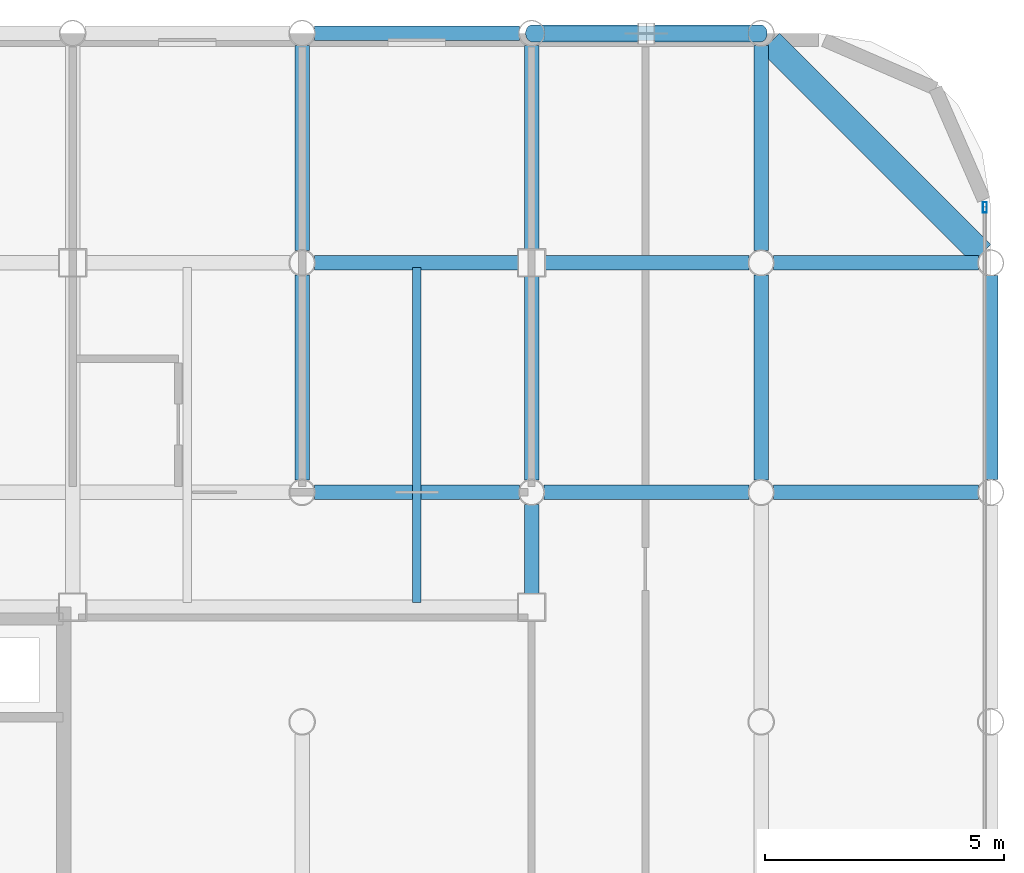
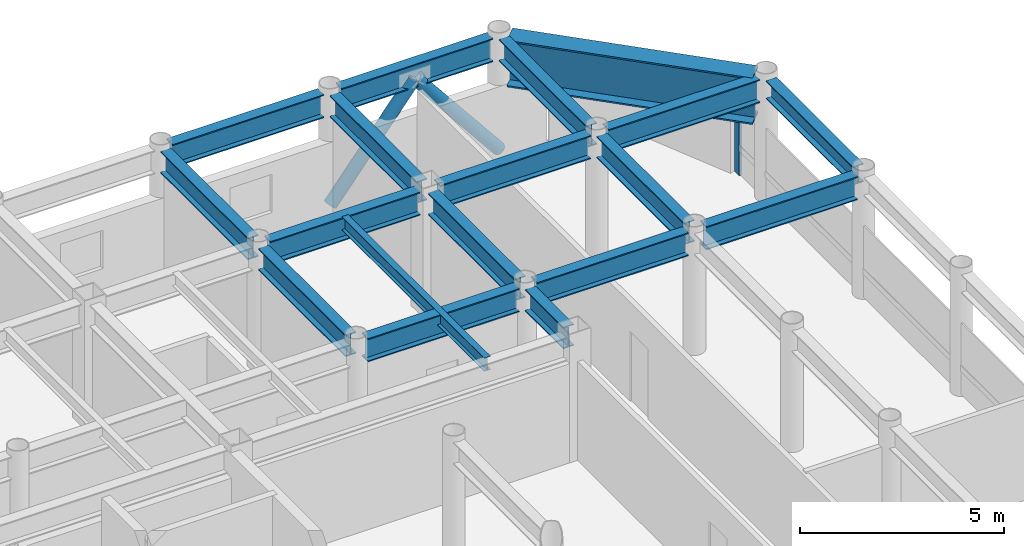
# One storey, part 15 of 21: 18 beams, 3 members, 1 element without a shape of its own.
"""IFC4 building model written with IfcOpenShell, lengths in metres."""

from ifc_helpers import new_model, si_unit, direction, frame, origin, origin_2d, place, context, subcontext, project, spatial, hollow_rectangle, hollow_circle, i_section, extrude, material, layer, layer_set, material_profile, profile_set, type_object, element, aggregate, save


model = new_model("IFC4")

# Units and contexts
model_context = context("Model", 3, precision=1e-05, world=origin(), true_north=direction((0.0, 1.0)))
body_context = subcontext(model_context, "Body", "Model", "MODEL_VIEW")
ifc_project = project(units=[si_unit("LENGTHUNIT", "METRE"), si_unit("AREAUNIT", "SQUARE_METRE"), si_unit("VOLUMEUNIT", "CUBIC_METRE"), si_unit("PLANEANGLEUNIT", "RADIAN"), si_unit("MASSUNIT", "GRAM", prefix="KILO")], contexts=[model_context])

# Site, building, storey
site_placement = place(None, origin())
site = spatial("IfcSite", under=ifc_project, at=site_placement, CompositionType="ELEMENT")
building_placement = place(site_placement, origin())
building = spatial("IfcBuilding", under=site, at=building_placement, Name="Kallvorn Hotel Tower", CompositionType="ELEMENT")
storey_placement = place(building_placement, frame((0.0, 0.0, 214.60009765625)))
storey = spatial("IfcBuildingStorey", under=building, at=storey_placement, Name="L53", CompositionType="ELEMENT", Elevation=214.60009765625)

# Beams
ifc_material_1 = material(Name="Structural steel S355JR", Category="steel")
ifc_material_profile_1 = material_profile(ifc_material_1, i_section(OverallWidth=0.300048828125, OverallDepth=0.550048828125, WebThickness=0.014892578125, FlangeThickness=0.029052734375, at=origin_2d()), Name="HE 550 B")
ifc_profile_set_1 = profile_set([ifc_material_profile_1], Name="Structural steel S355JR")
beam_type_1 = type_object("IfcBeamType", Name="BM_HE550B", PredefinedType="SPANDREL", material=ifc_profile_set_1)
beam_1_placement = place(storey_placement, frame((33.60009765625, 9.869384765625, 3.39501953125), z_axis=(0.0, 1.0, 0.0), x_axis=(-1.0, 0.0, 0.0)))
element("IfcBeam", 1, at=beam_1_placement, inside=storey, type_object=beam_type_1, Name="L54 Perimeter Spandrel 188", PredefinedType="SPANDREL", context=body_context, shape_type="SweptSolid", body=[
    extrude(i_section(OverallWidth=0.300048828125, OverallDepth=0.550048828125, WebThickness=0.014892578125, FlangeThickness=0.029052734375, at=origin_2d()), origin(), (0.0, 0.0, 1.0), 4.26123046875),
])
ifc_material_2 = material(Name="Structural steel S355JR", Category="steel")
ifc_material_profile_2 = material_profile(ifc_material_2, i_section(OverallWidth=0.300048828125, OverallDepth=0.64990234375, WebThickness=0.01611328125, FlangeThickness=0.031005859375, at=origin_2d()), Name="HE 650 B")
ifc_profile_set_2 = profile_set([ifc_material_profile_2], Name="Structural steel S355JR")
beam_type_2 = type_object("IfcBeamType", Name="BM_HE650B", PredefinedType="BEAM", material=ifc_profile_set_2)
for number, where, z_axis, x_axis, name in (
    (2, (19.199951171875, 9.8544921875, 3.344970703125), (0.0, 1.0, 0.0), (-1.0, 0.0, 0.0), "L54 Primary Y-Girder 133"),
    (3, (19.199951171875, 14.654541015625, 3.344970703125), (0.0, 1.0, 0.0), (-1.0, 0.0, 0.0), "L54 Primary Y-Girder 134"),
):
    element("IfcBeam", number, at=place(storey_placement, frame(where, z_axis=z_axis, x_axis=x_axis)), inside=storey, type_object=beam_type_2, Name=name, PredefinedType="BEAM", context=body_context, shape_type="SweptSolid", body=[
        extrude(i_section(OverallWidth=0.300048828125, OverallDepth=0.64990234375, WebThickness=0.01611328125, FlangeThickness=0.031005859375, at=origin_2d()), origin(), (0.0, 0.0, 1.0), 4.291015625),
    ])
beam_2_placement = place(storey_placement, frame((24.0, 7.47509765625, 3.344970703125), z_axis=(0.0, 1.0, 0.0), x_axis=(-1.0, 0.0, 0.0)))
element("IfcBeam", 4, at=beam_2_placement, inside=storey, type_object=beam_type_2, Name="L54 Primary Y-Girder 139", PredefinedType="BEAM", context=body_context, shape_type="SweptSolid", body=[
    extrude(i_section(OverallWidth=0.300048828125, OverallDepth=0.64990234375, WebThickness=0.01611328125, FlangeThickness=0.031005859375, at=origin_2d()), origin(), (0.0, 0.0, 1.0), 1.870361328125),
])
for number, where, z_axis, x_axis, name in (
    (5, (24.0, 9.8544921875, 3.344970703125), (0.0, 1.0, 0.0), (-1.0, 0.0, 0.0), "L54 Primary Y-Girder 140"),
    (6, (24.0, 14.675048828125, 3.344970703125), (0.0, 1.0, 0.0), (-1.0, 0.0, 0.0), "L54 Primary Y-Girder 141"),
):
    element("IfcBeam", number, at=place(storey_placement, frame(where, z_axis=z_axis, x_axis=x_axis)), inside=storey, type_object=beam_type_2, Name=name, PredefinedType="BEAM", context=body_context, shape_type="SweptSolid", body=[
        extrude(i_section(OverallWidth=0.300048828125, OverallDepth=0.64990234375, WebThickness=0.01611328125, FlangeThickness=0.031005859375, at=origin_2d()), origin(), (0.0, 0.0, 1.0), 4.2705078125),
    ])
for number, where, z_axis, x_axis, name in (
    (7, (28.800048828125, 9.8544921875, 3.344970703125), (0.0, 1.0, 0.0), (-1.0, 0.0, 0.0), "L54 Primary Y-Girder 149"),
    (8, (28.800048828125, 14.654541015625, 3.344970703125), (0.0, 1.0, 0.0), (-1.0, 0.0, 0.0), "L54 Primary Y-Girder 150"),
):
    element("IfcBeam", number, at=place(storey_placement, frame(where, z_axis=z_axis, x_axis=x_axis)), inside=storey, type_object=beam_type_2, Name=name, PredefinedType="BEAM", context=body_context, shape_type="SweptSolid", body=[
        extrude(i_section(OverallWidth=0.300048828125, OverallDepth=0.64990234375, WebThickness=0.01611328125, FlangeThickness=0.031005859375, at=origin_2d()), origin(), (0.0, 0.0, 1.0), 4.291015625),
    ])
ifc_material_3 = material(Name="Structural steel S355JR", Category="steel")
ifc_material_profile_3 = material_profile(ifc_material_3, i_section(OverallWidth=0.300048828125, OverallDepth=0.699951171875, WebThickness=0.01708984375, FlangeThickness=0.031982421875, at=origin_2d()), Name="HE 700 B")
ifc_profile_set_3 = profile_set([ifc_material_profile_3], Name="Structural steel S355JR")
beam_type_3 = type_object("IfcBeamType", Name="BM_HE700B", PredefinedType="BEAM", material=ifc_profile_set_3)
for number, where, z_axis, x_axis, name in (
    (9, (19.45458984375, 9.60009765625, 3.31982421875), (1.0, 0.0, 0.0), (0.0, 1.0, 0.0), "L54 Primary X-Girder 48"),
    (10, (24.25439453125, 9.60009765625, 3.31982421875), (1.0, 0.0, 0.0), (0.0, 1.0, 0.0), "L54 Primary X-Girder 49"),
    (11, (29.054443359375, 9.60009765625, 3.31982421875), (1.0, 0.0, 0.0), (0.0, 1.0, 0.0), "L54 Primary X-Girder 50"),
):
    element("IfcBeam", number, at=place(storey_placement, frame(where, z_axis=z_axis, x_axis=x_axis)), inside=storey, type_object=beam_type_3, Name=name, PredefinedType="BEAM", context=body_context, shape_type="SweptSolid", body=[
        extrude(i_section(OverallWidth=0.300048828125, OverallDepth=0.699951171875, WebThickness=0.01708984375, FlangeThickness=0.031982421875, at=origin_2d()), origin(), (0.0, 0.0, 1.0), 4.291015625),
    ])
for number, where, z_axis, x_axis, name in (
    (12, (19.45458984375, 14.39990234375, 3.31982421875), (1.0, 0.0, 0.0), (0.0, 1.0, 0.0), "L54 Primary X-Girder 58"),
    (13, (24.27490234375, 14.39990234375, 3.31982421875), (1.0, 0.0, 0.0), (0.0, 1.0, 0.0), "L54 Primary X-Girder 59"),
):
    element("IfcBeam", number, at=place(storey_placement, frame(where, z_axis=z_axis, x_axis=x_axis)), inside=storey, type_object=beam_type_3, Name=name, PredefinedType="BEAM", context=body_context, shape_type="SweptSolid", body=[
        extrude(i_section(OverallWidth=0.300048828125, OverallDepth=0.699951171875, WebThickness=0.01708984375, FlangeThickness=0.031982421875, at=origin_2d()), origin(), (0.0, 0.0, 1.0), 4.2705078125),
    ])
for number, where, z_axis, x_axis, name in (
    (14, (29.054443359375, 14.39990234375, 3.31982421875), (1.0, 0.0, 0.0), (0.0, 1.0, 0.0), "L54 Primary X-Girder 60"),
    (15, (19.45458984375, 19.199951171875, 3.31982421875), (1.0, 0.0, 0.0), (0.0, 1.0, 0.0), "L54 Primary X-Girder 71"),
    (16, (24.25439453125, 19.199951171875, 3.31982421875), (1.0, 0.0, 0.0), (0.0, 1.0, 0.0), "L54 Primary X-Girder 72"),
):
    element("IfcBeam", number, at=place(storey_placement, frame(where, z_axis=z_axis, x_axis=x_axis)), inside=storey, type_object=beam_type_3, Name=name, PredefinedType="BEAM", context=body_context, shape_type="SweptSolid", body=[
        extrude(i_section(OverallWidth=0.300048828125, OverallDepth=0.699951171875, WebThickness=0.01708984375, FlangeThickness=0.031982421875, at=origin_2d()), origin(), (0.0, 0.0, 1.0), 4.291015625),
    ])
ifc_material_4 = material(Name="Structural steel S355JR", Category="steel")
ifc_material_profile_4 = material_profile(ifc_material_4, i_section(OverallWidth=0.179931640625, OverallDepth=0.39990234375, WebThickness=0.008544921875, FlangeThickness=0.013427734375, at=origin_2d()), Name="IPE 400")
ifc_profile_set_4 = profile_set([ifc_material_profile_4], Name="Structural steel S355JR")
beam_type_4 = type_object("IfcBeamType", Name="BM_IPE400", PredefinedType="JOIST", material=ifc_profile_set_4)
beam_3_placement = place(storey_placement, frame((21.60009765625, 7.300048828125, 3.469970703125), z_axis=(0.0, 1.0, 0.0), x_axis=(-1.0, 0.0, 0.0)))
element("IfcBeam", 17, at=beam_3_placement, inside=storey, type_object=beam_type_4, Name="L54 Secondary Composite Joist 209", PredefinedType="JOIST", context=body_context, shape_type="SweptSolid", body=[
    extrude(i_section(OverallWidth=0.179931640625, OverallDepth=0.39990234375, WebThickness=0.008544921875, FlangeThickness=0.013427734375, at=origin_2d()), origin(), (0.0, 0.0, 1.0), 7.0),
])
ifc_material_5 = material(Name="Structural steel S355JR", Category="steel")
ifc_material_profile_5 = material_profile(ifc_material_5, i_section(OverallWidth=0.550048828125, OverallDepth=1.39990234375, WebThickness=0.02490234375, FlangeThickness=0.044921875, at=origin_2d()), Name="PG 1400x550x25x45")
ifc_profile_set_5 = profile_set([ifc_material_profile_5], Name="Structural steel S355JR")
beam_type_5 = type_object("IfcBeamType", Name="BM_PG_1400", PredefinedType="BEAM", material=ifc_profile_set_5)
beam_4_placement = place(storey_placement, frame((33.409423828125, 14.590576171875, 2.969970703125), z_axis=(-0.707106781187, 0.707106781187, 0.0), x_axis=(-0.707106781187, -0.707106781187, 0.0)))
element("IfcBeam", 18, at=beam_4_placement, inside=storey, type_object=beam_type_5, Name="L54 Rounded Corner Tie Beam 191", PredefinedType="BEAM", context=body_context, shape_type="SweptSolid", body=[
    extrude(i_section(OverallWidth=0.550048828125, OverallDepth=1.39990234375, WebThickness=0.02490234375, FlangeThickness=0.044921875, at=origin_2d()), origin(), (0.0, 0.0, 1.0), 6.249267578125),
])

# Curtain wall, member
ifc_material_6 = material(Name="Thermally broken black-anodised aluminium AA 6063-T6", Category="aluminium")
ifc_layer = layer(ifc_material_6, 0.22998046875)
ifc_layer_set = layer_set([ifc_layer], Name="CW_SYS_5_HOTEL_HIGH")
curtain_wall_type = type_object("IfcCurtainWallType", Name="CW_SYS_5_HOTEL_HIGH", PredefinedType="USERDEFINED", material=ifc_layer_set)
curtain_wall_placement = place(storey_placement, origin())
curtain_wall = element("IfcCurtainWall", 19, at=curtain_wall_placement, inside=storey, type_object=curtain_wall_type, Name="L53 Dark-Glass Curtain Wall CW-L53-EN", ObjectType="UNITISED CURTAIN WALL", PredefinedType="USERDEFINED")
ifc_material_7 = material(Name="Thermally broken black-anodised aluminium AA 6063-T6", Category="aluminium")
ifc_material_profile_6 = material_profile(ifc_material_7, hollow_rectangle(XDim=0.080078125, YDim=0.219970703125, WallThickness=0.0048828125, at=origin_2d()), Name="MUL 220x80")
ifc_profile_set_6 = profile_set([ifc_material_profile_6], Name="Thermally broken black-anodised aluminium AA 6063-T6")
member_type_1 = type_object("IfcMemberType", Name="CW_MULLION_220x80", PredefinedType="MULLION", material=ifc_profile_set_6)
member_placement = place(storey_placement, frame((33.47998046875, 15.56005859375, 0.02001953125), z_axis=(0.0, 0.0, 1.0), x_axis=(1.0, 0.0, 0.0)))
member = element("IfcMember", 20, at=member_placement, type_object=member_type_1, Name="CW-L53-EN Mullion 01", PredefinedType="MULLION", context=body_context, shape_type="SweptSolid", body=[
    extrude(hollow_rectangle(XDim=0.080078125, YDim=0.219970703125, WallThickness=0.0048828125, at=origin_2d()), origin(), (0.0, 0.0, 1.0), 2.22998046875),
])
aggregate(curtain_wall, [member])

# Members
ifc_material_8 = material(Name="Structural steel S355J2H", Category="steel")
ifc_material_profile_7 = material_profile(ifc_material_8, hollow_circle(Radius=0.177734375, WallThickness=0.01416015625, at=origin_2d()), Name="CHS 355.6x14.2")
ifc_profile_set_7 = profile_set([ifc_material_profile_7], Name="Structural steel S355J2H")
member_type_2 = type_object("IfcMemberType", Name="MBR_EXO_CHS355", PredefinedType="BRACE", material=ifc_profile_set_7)
for number, where, z_axis, x_axis, name in (
    (21, (24.012451171875, 19.199951171875, 0.195556640625), (0.627270878626, 0.0, 0.778801158722), (0.0, 1.0, 0.0), "L53 Exoskeleton K-Brace N2A"),
    (22, (28.78759765625, 19.199951171875, 0.195556640625), (-0.627270878626, 0.0, 0.778801158722), (0.0, -1.0, 0.0), "L53 Exoskeleton K-Brace N2B"),
):
    element("IfcMember", number, at=place(storey_placement, frame(where, z_axis=z_axis, x_axis=x_axis)), inside=storey, type_object=member_type_2, Name=name, PredefinedType="BRACE", context=body_context, shape_type="SweptSolid", body=[
        extrude(hollow_circle(Radius=0.177734375, WallThickness=0.01416015625, at=origin_2d()), origin(), (0.0, 0.0, 1.0), 3.7861328125),
    ])

save(model, "model.ifc")
